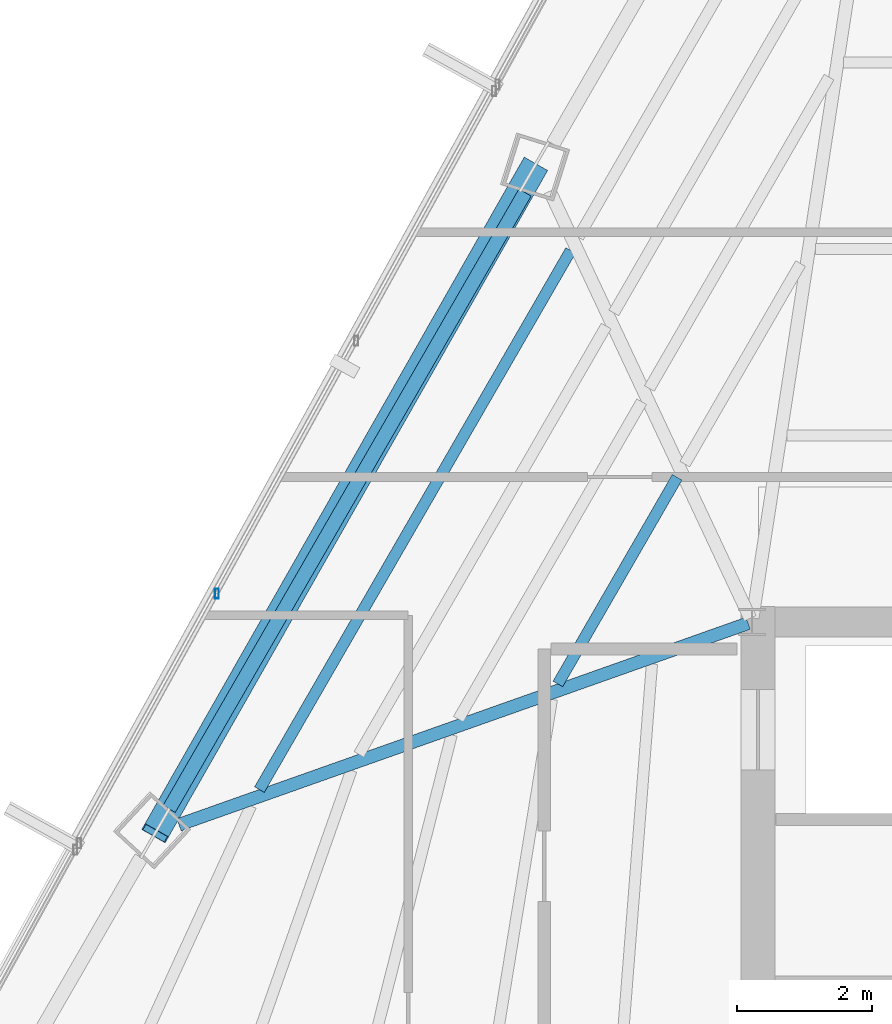
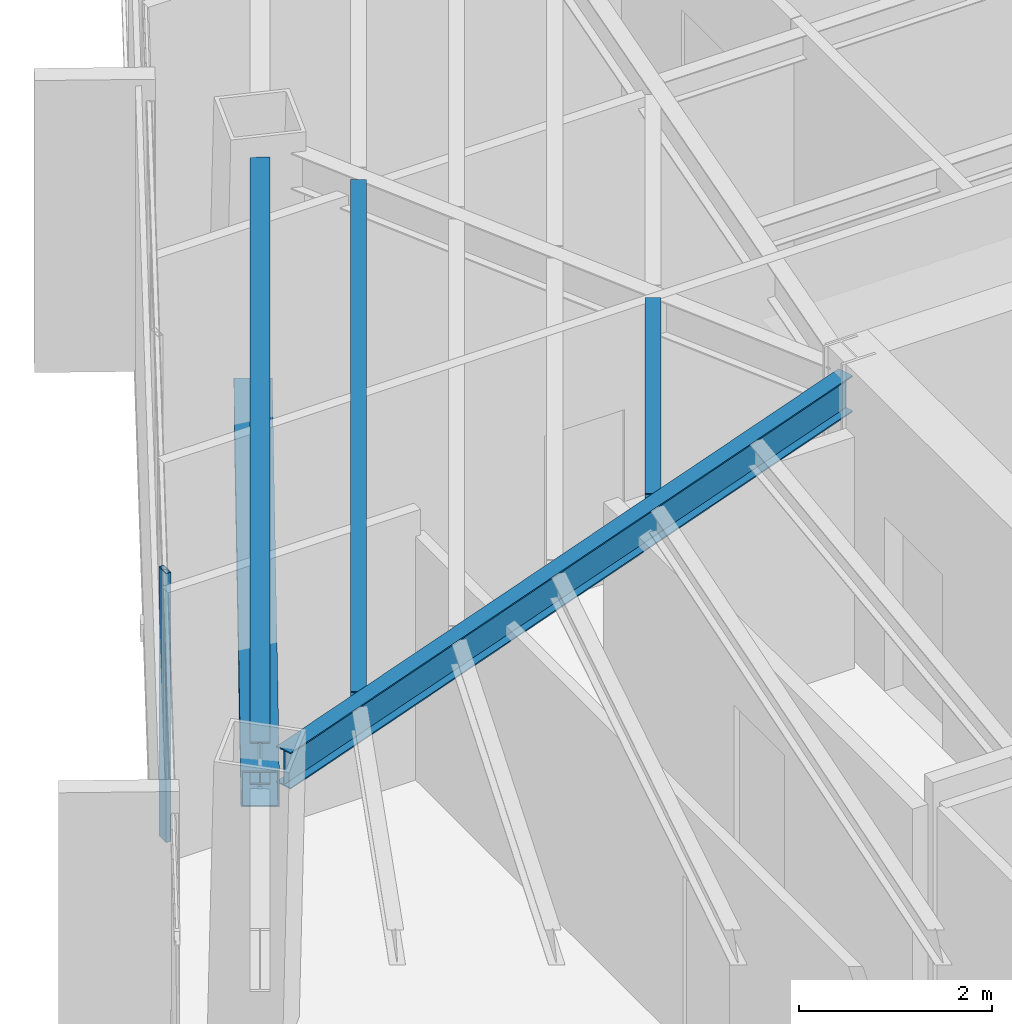
# One storey, part 14 of 42: 4 beams, 2 members, 1 element without a shape of its own.
"""IFC4 building model written with IfcOpenShell, lengths in metres."""

from ifc_helpers import new_model, si_unit, direction, frame, origin, origin_2d, place, context, subcontext, project, spatial, hollow_rectangle, i_section, extrude, source, transform, mapped, material, material_profile, profile_set, type_object, type_shapes, element, aggregate, save


model = new_model("IFC4")

# Units and contexts
model_context = context("Model", 3, precision=1e-05, world=origin(), true_north=direction((0.0, 1.0)))
body_context = subcontext(model_context, "Body", "Model", "MODEL_VIEW")
ifc_project = project(units=[si_unit("LENGTHUNIT", "METRE"), si_unit("AREAUNIT", "SQUARE_METRE"), si_unit("VOLUMEUNIT", "CUBIC_METRE"), si_unit("PLANEANGLEUNIT", "RADIAN"), si_unit("MASSUNIT", "GRAM", prefix="KILO")], contexts=[model_context])

# Site, building, storey
site_placement = place(None, origin())
site = spatial("IfcSite", under=ifc_project, at=site_placement, CompositionType="ELEMENT")
building_placement = place(site_placement, origin())
building = spatial("IfcBuilding", under=site, at=building_placement, Name="Caelisora Broadcast Tower", CompositionType="ELEMENT")
storey_placement = place(building_placement, frame((0.0, 0.0, 205.949951171875)))
storey = spatial("IfcBuildingStorey", under=building, at=storey_placement, Name="L54", CompositionType="ELEMENT", Elevation=205.949951171875)

# Beams
ifc_material_1 = material(Name="Steel Grade 350 (AS/NZS 3679.1)", Category="steel")
ifc_material_profile_1 = material_profile(ifc_material_1, i_section(OverallWidth=0.208984375, OverallDepth=0.532958984375, WebThickness=0.01025390625, FlangeThickness=0.015625, at=origin_2d()), Name="Steel Grade 350 (AS/NZS 3679.1)")
ifc_profile_set_1 = profile_set([ifc_material_profile_1], Name="Steel Grade 350 (AS/NZS 3679.1)")
beam_type_1 = type_object("IfcBeamType", Name="PG05", PredefinedType="BEAM", material=ifc_profile_set_1)
shared_shape_1 = source(origin(), body_context, "Body", "SweptSolid", [
    extrude(i_section(OverallWidth=0.208984375, OverallDepth=0.532958984375, WebThickness=0.01025390625, FlangeThickness=0.015625, at=origin_2d()), origin(), (0.0, 0.0, 1.0), 10.556884765625),
])
type_shapes(beam_type_1, [shared_shape_1])
beam_1_placement = place(storey_placement, frame((27.133544921875, 36.368896484375, 3.133544921875), z_axis=(-0.50000671437, -0.866021527206, 0.0), x_axis=(0.866021527206, -0.50000671437, 0.0)))
element("IfcBeam", 1, at=beam_1_placement, inside=storey, type_object=beam_type_1, Name="L54 beam PG05", PredefinedType="BEAM", context=body_context, shape_type="MappedRepresentation", body=[
    mapped(shared_shape_1, transform((0.0, 0.0, 0.0), scale=1.0)),
])
ifc_material_profile_2 = material_profile(ifc_material_1, i_section(OverallWidth=0.19091796875, OverallDepth=0.46044921875, WebThickness=0.010009765625, FlangeThickness=0.01611328125, at=origin_2d()), Name="Steel Grade 350 (AS/NZS 3679.1)")
ifc_profile_set_2 = profile_set([ifc_material_profile_2], Name="Steel Grade 350 (AS/NZS 3679.1)")
beam_type_2 = type_object("IfcBeamType", Name="PG06", PredefinedType="BEAM", material=ifc_profile_set_2)
shared_shape_2 = source(origin(), body_context, "Body", "SweptSolid", [
    extrude(i_section(OverallWidth=0.19091796875, OverallDepth=0.46044921875, WebThickness=0.010009765625, FlangeThickness=0.01611328125, at=origin_2d()), origin(), (0.0, 0.0, 1.0), 8.955322265625),
])
type_shapes(beam_type_2, [shared_shape_2])
beam_2_placement = place(storey_placement, frame((30.443359375, 29.97998046875, 3.169921875), z_axis=(-0.942673329603, -0.333716936424, 0.0), x_axis=(0.333716936424, -0.942673329603, 0.0)))
element("IfcBeam", 2, at=beam_2_placement, inside=storey, type_object=beam_type_2, Name="L54 beam PG06", PredefinedType="BEAM", context=body_context, shape_type="MappedRepresentation", body=[
    mapped(shared_shape_2, transform((0.0, 0.0, 0.0), scale=1.0)),
])
ifc_material_profile_3 = material_profile(ifc_material_1, i_section(OverallWidth=0.166015625, OverallDepth=0.30712890625, WebThickness=0.006591796875, FlangeThickness=0.01171875, at=origin_2d()), Name="Steel Grade 350 (AS/NZS 3679.1)")
ifc_profile_set_3 = profile_set([ifc_material_profile_3], Name="Steel Grade 350 (AS/NZS 3679.1)")
beam_type_3 = type_object("IfcBeamType", Name="SB03", PredefinedType="JOIST", material=ifc_profile_set_3)
shared_shape_3 = source(origin(), body_context, "Body", "SweptSolid", [
    extrude(i_section(OverallWidth=0.166015625, OverallDepth=0.30712890625, WebThickness=0.006591796875, FlangeThickness=0.01171875, at=origin_2d()), origin(), (0.0, 0.0, 1.0), 3.538818359375),
])
beam_3_placement = place(storey_placement, frame((29.390380859375, 32.144775390625, 3.246337890625), z_axis=(-0.499975270313, -0.866039681005, 0.0), x_axis=(0.866039681005, -0.499975270313, 0.0)))
element("IfcBeam", 3, at=beam_3_placement, inside=storey, type_object=beam_type_3, Name="L54 beam SB03", PredefinedType="JOIST", context=body_context, shape_type="MappedRepresentation", body=[
    mapped(shared_shape_3, transform((0.0, 0.0, 0.0), scale=1.0)),
])
shared_shape_4 = source(origin(), body_context, "Body", "SweptSolid", [
    extrude(i_section(OverallWidth=0.166015625, OverallDepth=0.30712890625, WebThickness=0.006591796875, FlangeThickness=0.01171875, at=origin_2d()), origin(), (0.0, 0.0, 1.0), 9.233642578125),
])
type_shapes(beam_type_3, [shared_shape_3, shared_shape_4])
beam_4_placement = place(storey_placement, frame((27.811279296875, 35.509521484375, 3.246337890625), z_axis=(-0.499989475653, -0.866031479934, 0.0), x_axis=(0.866031479934, -0.499989475653, 0.0)))
element("IfcBeam", 4, at=beam_4_placement, inside=storey, type_object=beam_type_3, Name="L54 beam SB03", PredefinedType="JOIST", context=body_context, shape_type="MappedRepresentation", body=[
    mapped(shared_shape_4, transform((0.0, 0.0, 0.0), scale=1.0)),
])

# Member
ifc_material_2 = material(Name="Steel Grade 450 (AS/NZS 1163 C450L0)", Category="steel")
ifc_material_profile_4 = material_profile(ifc_material_2, hollow_rectangle(XDim=0.39990234375, YDim=0.39990234375, WallThickness=0.01611328125, at=origin_2d()), Name="Steel Grade 450 (AS/NZS 1163 C450L0)")
ifc_profile_set_4 = profile_set([ifc_material_profile_4], Name="Steel Grade 450 (AS/NZS 1163 C450L0)")
member_type_1 = type_object("IfcMemberType", Name="BR04", PredefinedType="BRACE", material=ifc_profile_set_4)
shared_shape_5 = source(origin(), body_context, "Body", "SweptSolid", [
    extrude(hollow_rectangle(XDim=0.39990234375, YDim=0.39990234375, WallThickness=0.01611328125, at=origin_2d()), origin(), (0.0, 0.0, 1.0), 11.761962890625),
])
type_shapes(member_type_1, [shared_shape_5])
member_1_placement = place(storey_placement, frame((27.270751953125, 36.751220703125, 0.10009765625), z_axis=(-0.47813035612, -0.840438381563, 0.255058207771), x_axis=(0.869186102889, -0.494485104472, 0.0)))
element("IfcMember", 5, at=member_1_placement, inside=storey, type_object=member_type_1, Name="L54 perimeter brace BR04", PredefinedType="BRACE", context=body_context, shape_type="MappedRepresentation", body=[
    mapped(shared_shape_5, transform((0.0, 0.0, 0.0), scale=1.0)),
])

# Curtain wall, member
ifc_material_3 = material(Name="Unitised Aluminium Insulated Shadow-Box Spandrel Curtain Wall", Category="aluminium")
curtain_wall_type = type_object("IfcCurtainWallType", Name="CW-SP2", PredefinedType="NOTDEFINED", material=ifc_material_3)
curtain_wall_placement = place(storey_placement, origin())
curtain_wall = element("IfcCurtainWall", 6, at=curtain_wall_placement, inside=storey, type_object=curtain_wall_type, Name="L54 curtain wall CW-SP2", PredefinedType="NOTDEFINED")
ifc_material_4 = material(Name="Aluminium 6063-T6 Anodised Terracotta Bronze", Category="aluminium")
ifc_material_profile_5 = material_profile(ifc_material_4, hollow_rectangle(XDim=0.06005859375, YDim=0.14990234375, WallThickness=0.00341796875, at=origin_2d()), Name="Aluminium 6063-T6 Anodised Terracotta Bronze")
ifc_profile_set_5 = profile_set([ifc_material_profile_5], Name="Aluminium 6063-T6 Anodised Terracotta Bronze")
member_type_2 = type_object("IfcMemberType", Name="CWM-03", PredefinedType="MULLION", material=ifc_profile_set_5)
shared_shape_6 = source(origin(), body_context, "Body", "SweptSolid", [
    extrude(hollow_rectangle(XDim=0.06005859375, YDim=0.14990234375, WallThickness=0.00341796875, at=origin_2d()), origin(), (0.0, 0.0, 1.0), 3.400146484375),
])
type_shapes(member_type_2, [shared_shape_6])
member_2_placement = place(storey_placement, frame((22.56201171875, 30.42041015625, 0.0), z_axis=(0.0, 0.0, 1.0), x_axis=(1.0, 0.0, 0.0)))
member_2 = element("IfcMember", 7, at=member_2_placement, type_object=member_type_2, Name="L54-CW-B10 mullion #1", PredefinedType="MULLION", context=body_context, shape_type="MappedRepresentation", body=[
    mapped(shared_shape_6, transform((0.0, 0.0, 0.0), scale=1.0)),
])
aggregate(curtain_wall, [member_2])

save(model, "model.ifc")
